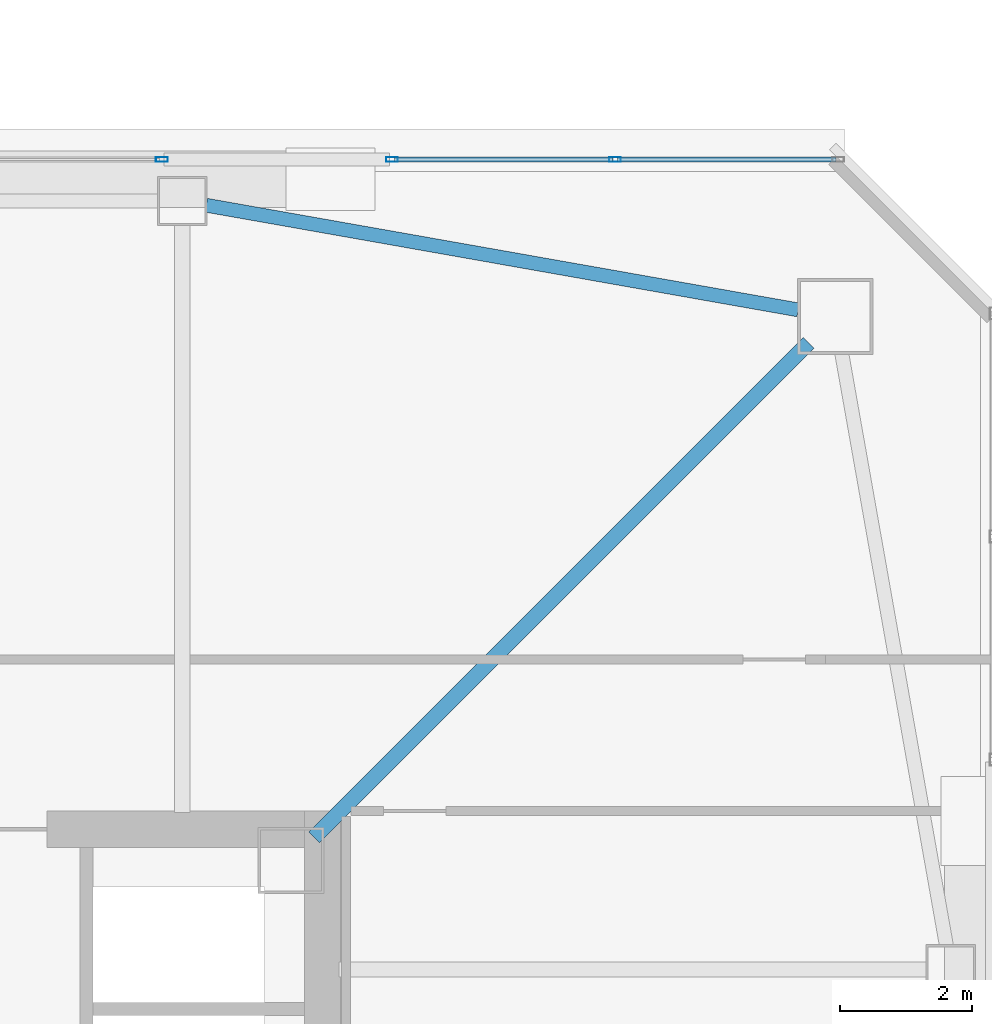
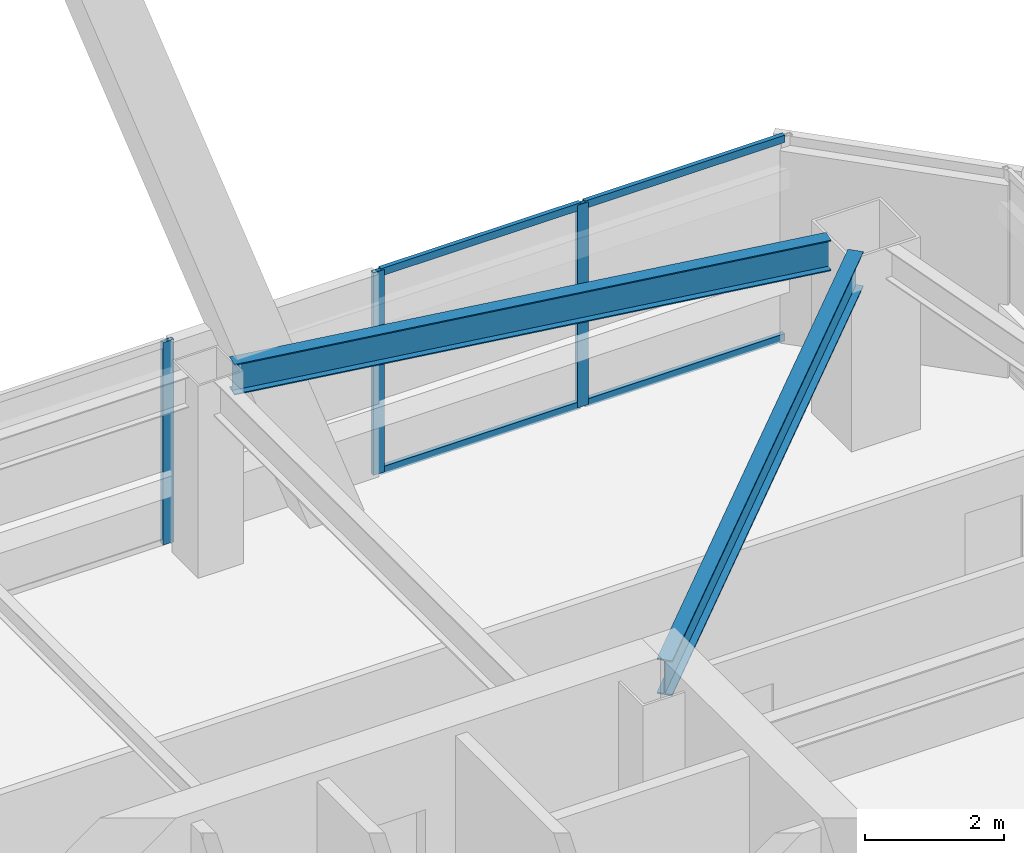
# One storey, part 19 of 55: 7 members, 2 beams, 2 elements without a shape of their own.
"""IFC4 building model written with IfcOpenShell, lengths in metres."""

import ifcopenshell
import ifcopenshell.guid

model = None  # the IFC model being written
_history = None  # IfcOwnerHistory: only IFC2X3 demands one
_inside = {}  # id of a spatial element -> (the spatial element, [elements in it])
_under = {}  # id of a project, library or spatial element -> (it, [spatial elements below it])
_declared = {}  # id of a project -> (the project, [libraries it declares])
_typed = {}  # id of a type object -> (the type object, [elements of that type])
_made_of = {}  # id of a material, layer set ... -> (it, [elements and type objects made of it])


def new_model(schema):
    """Start an empty IFC model of exactly this schema.

    Asked for "IFC4X3", IfcOpenShell would pick the latest addendum, in which some entities
    have other attributes; the version numbers below select the first issue.
    IFC2X3 requires an IfcOwnerHistory on every rooted entity: one is made here for all.
    """
    global model, _history
    if schema == "IFC4X3":
        model = ifcopenshell.file(schema_version=(4, 3, 0, 0))
    else:
        model = ifcopenshell.file(schema=schema)
    _inside.clear()
    _under.clear()
    _declared.clear()
    _typed.clear()
    _made_of.clear()
    _history = None
    if model.schema == "IFC2X3":
        org = make("IfcOrganization", Name="unknown")
        user = make(
            "IfcPersonAndOrganization",
            ThePerson=make("IfcPerson", FamilyName="unknown"),
            TheOrganization=org,
        )
        app = make(
            "IfcApplication",
            ApplicationDeveloper=org,
            Version="unknown",
            ApplicationFullName="unknown",
            ApplicationIdentifier="unknown",
        )
        _history = make(
            "IfcOwnerHistory",
            OwningUser=user,
            OwningApplication=app,
            ChangeAction="ADDED",
            CreationDate=0,
        )
    return model


def make(cls, **values):
    """One entity of the class cls with the attributes given. An attribute that is None is left unset."""
    return model.create_entity(
        cls, **{name: value for name, value in values.items() if value is not None}
    )


def rooted(cls, **values):
    """An entity with a GlobalId (a new one), such as an element, a storey or a relation."""
    return make(cls, GlobalId=ifcopenshell.guid.new(), OwnerHistory=_history, **values)


def si_unit(unit_type, name, prefix=None):
    """IfcSIUnit, for example si_unit("LENGTHUNIT", "METRE", prefix="MILLI")."""
    return make("IfcSIUnit", UnitType=unit_type, Prefix=prefix, Name=name)


def assignment(units):
    """IfcUnitAssignment: the units of a project."""
    return None if units is None else make("IfcUnitAssignment", Units=units)


def point(xyz):
    """IfcCartesianPoint."""
    return None if xyz is None else make("IfcCartesianPoint", Coordinates=xyz)


def direction(xyz):
    """IfcDirection."""
    return None if xyz is None else make("IfcDirection", DirectionRatios=xyz)


def frame(location, z_axis=None, x_axis=None):
    """IfcAxis2Placement3D, a coordinate frame: its origin and axes. An axis left out is left unset."""
    return make(
        "IfcAxis2Placement3D",
        Location=point(location),
        Axis=direction(z_axis),
        RefDirection=direction(x_axis),
    )


def frame_2d(location, x_axis=None):
    """IfcAxis2Placement2D, a coordinate frame in the plane: its origin and x axis."""
    return make(
        "IfcAxis2Placement2D", Location=point(location), RefDirection=direction(x_axis)
    )


def origin():
    """The frame at (0, 0, 0) with its axes left unset."""
    return frame((0.0, 0.0, 0.0))


def origin_2d():
    """The frame at (0, 0) in the plane with its x axis left unset."""
    return frame_2d((0.0, 0.0))


def place(relative_to, where):
    """IfcLocalPlacement: puts the frame where relative to a parent placement (None: the world)."""
    return make(
        "IfcLocalPlacement", PlacementRelTo=relative_to, RelativePlacement=where
    )


def context(
    kind, dimensions, precision=None, world=None, true_north=None, identifier=None
):
    """IfcGeometricRepresentationContext, for example the 3D "Model" context."""
    return make(
        "IfcGeometricRepresentationContext",
        ContextIdentifier=identifier,
        ContextType=kind,
        CoordinateSpaceDimension=dimensions,
        Precision=precision,
        WorldCoordinateSystem=world,
        TrueNorth=true_north,
    )


def subcontext(parent, identifier, kind, view, scale=None):
    """IfcGeometricRepresentationSubContext, for example "Body" below "Model"."""
    return make(
        "IfcGeometricRepresentationSubContext",
        ContextIdentifier=identifier,
        ContextType=kind,
        ParentContext=parent,
        TargetScale=scale,
        TargetView=view,
    )


def project(units=None, contexts=None):
    """IfcProject with its units and contexts."""
    return rooted(
        "IfcProject",
        Name="project",
        RepresentationContexts=contexts,
        UnitsInContext=assignment(units),
    )


def spatial(cls, under=None, at=None, **own):
    """A site, building, storey or space (cls), placed at a placement, below another one or the project."""
    s = rooted(cls, ObjectPlacement=at, **own)
    if under is not None:
        _under.setdefault(under.id(), (under, []))[1].append(s)
    return s


def profile(cls, at=None, kind="AREA", **sizes):
    """A parametric profile (cls). Its sizes go by their IFC names, for example OverallWidth=200.0."""
    return make(cls, ProfileType=kind, Position=at, **sizes)


def hollow_rectangle(**sizes):
    """IfcRectangleHollowProfileDef."""
    return profile("IfcRectangleHollowProfileDef", **sizes)


def i_section(**sizes):
    """IfcIShapeProfileDef."""
    return profile("IfcIShapeProfileDef", **sizes)


def extrude(swept, where, along, depth):
    """IfcExtrudedAreaSolid: the profile swept, set in the frame where, extruded along a direction by depth."""
    return make(
        "IfcExtrudedAreaSolid",
        SweptArea=swept,
        Position=where,
        ExtrudedDirection=direction(along),
        Depth=depth,
    )


def shape(context_of_items, identifier, shape_type, items):
    """IfcShapeRepresentation: the items that make up one representation, for example the "Body"."""
    return make(
        "IfcShapeRepresentation",
        ContextOfItems=context_of_items,
        RepresentationIdentifier=identifier,
        RepresentationType=shape_type,
        Items=items,
    )


def material(Name=None, Category=None):
    """IfcMaterial."""
    return make("IfcMaterial", Name=Name, Category=Category)


def material_profile(
    of_material, cross_section, Name=None, Category=None, Priority=None
):
    """IfcMaterialProfile: a cross section and its material."""
    return make(
        "IfcMaterialProfile",
        Name=Name,
        Material=of_material,
        Profile=cross_section,
        Priority=Priority,
        Category=Category,
    )


def profile_set(profiles, Name=None, composite=None):
    """IfcMaterialProfileSet."""
    return make(
        "IfcMaterialProfileSet",
        Name=Name,
        MaterialProfiles=profiles,
        CompositeProfile=composite,
    )


def made_of(thing, what):
    """Note that an element or type object is made of a material, layer set ...; save() writes the relation."""
    if what is not None:
        _made_of.setdefault(what.id(), (what, []))[1].append(thing)
    return thing


def type_object(cls, material=None, **own):
    """A type object (cls), such as IfcWallType, which elements share."""
    return made_of(rooted(cls, **own), material)


def element(
    cls,
    number,
    at=None,
    inside=None,
    cuts=None,
    type_object=None,
    material=None,
    context=None,
    identifier="Body",
    shape_type=None,
    held_by="IfcProductDefinitionShape",
    body=None,
    shapes=None,
    **own,
):
    """One element of the class cls, such as IfcWall. Its Tag is "e" and its number.

    at: its placement. inside: the storey or other place that contains it. cuts: it is an
    opening in that element (IfcRelVoidsElement). A single representation is given by context,
    identifier, shape_type and body (its items); several are given by shapes. held_by: the class
    of the entity that holds the representations. save() writes the other relations.
    """
    e = rooted(cls, Tag="e%d" % number, ObjectPlacement=at, **own)
    if body is not None:
        shapes = [shape(context, identifier, shape_type, body)]
    if shapes is not None:
        e.Representation = make(held_by, Representations=shapes)
    if inside is not None:
        _inside.setdefault(inside.id(), (inside, []))[1].append(e)
    if cuts is not None:
        rooted(
            "IfcRelVoidsElement", RelatingBuildingElement=cuts, RelatedOpeningElement=e
        )
    if type_object is not None:
        _typed.setdefault(type_object.id(), (type_object, []))[1].append(e)
    return made_of(e, material)


def aggregate(whole, parts):
    """IfcRelAggregates: a whole, such as a stair, and the parts it consists of."""
    return rooted("IfcRelAggregates", RelatingObject=whole, RelatedObjects=parts)


def save(model, path):
    """Write the relations noted so far, then the file.

    IfcRelAggregates (storeys below a building ...), IfcRelContainedInSpatialStructure (elements
    in a storey), IfcRelDefinesByType, IfcRelAssociatesMaterial and IfcRelDeclares: one each for
    every whole, place, type object, material and project.
    """
    for whole, parts in _under.values():
        aggregate(whole, parts)
    for where, things in _inside.values():
        rooted(
            "IfcRelContainedInSpatialStructure",
            RelatedElements=things,
            RelatingStructure=where,
        )
    for kind, things in _typed.values():
        rooted("IfcRelDefinesByType", RelatedObjects=things, RelatingType=kind)
    for what, things in _made_of.values():
        rooted("IfcRelAssociatesMaterial", RelatedObjects=things, RelatingMaterial=what)
    for by, libraries in _declared.values():
        rooted("IfcRelDeclares", RelatingContext=by, RelatedDefinitions=libraries)
    model.write(path)


model = new_model("IFC4")

# Units and contexts
model_context = context("Model", 3, precision=1e-05, world=origin(), true_north=direction((0.0, 1.0)))
body_context = subcontext(model_context, "Body", "Model", "MODEL_VIEW")
ifc_project = project(units=[si_unit("LENGTHUNIT", "METRE"), si_unit("AREAUNIT", "SQUARE_METRE"), si_unit("VOLUMEUNIT", "CUBIC_METRE"), si_unit("PLANEANGLEUNIT", "RADIAN"), si_unit("MASSUNIT", "GRAM", prefix="KILO")], contexts=[model_context])

# Site, building, storey
site_placement = place(None, origin())
site = spatial("IfcSite", under=ifc_project, at=site_placement, CompositionType="ELEMENT")
building_placement = place(site_placement, origin())
building = spatial("IfcBuilding", under=site, at=building_placement, Name="Tashvorn Skyway Center", CompositionType="ELEMENT")
storey_placement = place(building_placement, frame((0.0, 0.0, 178.300048828125)))
storey = spatial("IfcBuildingStorey", under=building, at=storey_placement, Name="L48", CompositionType="ELEMENT", Elevation=178.300048828125)

# Beams
ifc_material_1 = material(Name="Steel ASTM A992 Grade 50", Category="steel")
ifc_material_profile_1 = material_profile(ifc_material_1, i_section(OverallWidth=0.22998046875, OverallDepth=0.616943359375, WebThickness=0.01318359375, FlangeThickness=0.022216796875, at=origin_2d()), Name="W24X94")
ifc_profile_set_1 = profile_set([ifc_material_profile_1], Name="Steel ASTM A992 Grade 50")
beam_type_1 = type_object("IfcBeamType", Name="BM-BEAM-W24X94", PredefinedType="BEAM", material=ifc_profile_set_1)
beam_1_placement = place(storey_placement, frame((56.89697265625, 46.89697265625, 3.0615234375), z_axis=(-0.707106781187, -0.707106781187, 0.0), x_axis=(0.707106781187, -0.707106781187, 0.0)))
element("IfcBeam", 1, at=beam_1_placement, inside=storey, type_object=beam_type_1, Name="Tower 1 L48 Primary Floor Girder MC-NE", PredefinedType="BEAM", context=body_context, shape_type="SweptSolid", body=[
    extrude(i_section(OverallWidth=0.22998046875, OverallDepth=0.616943359375, WebThickness=0.01318359375, FlangeThickness=0.022216796875, at=origin_2d()), origin(), (0.0, 0.0, 1.0), 10.6025390625),
])
ifc_material_profile_2 = material_profile(ifc_material_1, i_section(OverallWidth=0.2109375, OverallDepth=0.5390625, WebThickness=0.01171875, FlangeThickness=0.018798828125, at=origin_2d()), Name="W21X73")
ifc_profile_set_2 = profile_set([ifc_material_profile_2], Name="Steel ASTM A992 Grade 50")
beam_type_2 = type_object("IfcBeamType", Name="BM-SPANDREL-W21X73", PredefinedType="SPANDREL", material=ifc_profile_set_2)
beam_2_placement = place(storey_placement, frame((56.73876953125, 47.399169921875, 3.100341796875), z_axis=(-0.984732545667, 0.174074160933, 0.0), x_axis=(-0.174074160933, -0.984732545667, 0.0)))
element("IfcBeam", 2, at=beam_2_placement, inside=storey, type_object=beam_type_2, Name="Tower 1 L48 Spandrel Beam 07", PredefinedType="SPANDREL", context=body_context, shape_type="SweptSolid", body=[
    extrude(i_section(OverallWidth=0.2109375, OverallDepth=0.5390625, WebThickness=0.01171875, FlangeThickness=0.018798828125, at=origin_2d()), origin(), (0.0, 0.0, 1.0), 9.113525390625),
])

# Curtain wall, member
ifc_material_2 = material(Name="Thermally broken bronze-anodized aluminium 6063-T6", Category="aluminium")
curtain_wall_type = type_object("IfcCurtainWallType", Name="CW-CW-Z4", PredefinedType="NOTDEFINED", material=ifc_material_2)
curtain_wall_1_placement = place(storey_placement, origin())
curtain_wall_1 = element("IfcCurtainWall", 3, at=curtain_wall_1_placement, inside=storey, type_object=curtain_wall_type, Name="Tower 1 L48 North Unitised Curtain Wall Glazing Group 2", PredefinedType="NOTDEFINED")
ifc_material_profile_3 = material_profile(ifc_material_2, hollow_rectangle(XDim=0.070068359375, YDim=0.179931640625, WallThickness=0.00390625, at=origin_2d()), Name="ALU-MULL-70x180")
ifc_profile_set_3 = profile_set([ifc_material_profile_3], Name="Thermally broken bronze-anodized aluminium 6063-T6")
member_type_1 = type_object("IfcMemberType", Name="CWM-CW-Z4", PredefinedType="MULLION", material=ifc_profile_set_3)
member_1_placement = place(storey_placement, frame((47.091796875, 49.679931640625, 0.0), z_axis=(0.0, 0.0, 1.0), x_axis=(0.0, 1.0, 0.0)))
member_1 = element("IfcMember", 4, at=member_1_placement, type_object=member_type_1, Name="CW-Z4 mullion 2", PredefinedType="MULLION", context=body_context, shape_type="SweptSolid", body=[
    extrude(hollow_rectangle(XDim=0.070068359375, YDim=0.179931640625, WallThickness=0.00390625, at=origin_2d()), origin(), (0.0, 0.0, 1.0), 3.550048828125),
])
aggregate(curtain_wall_1, [member_1])

# Curtain wall, members
curtain_wall_2_placement = place(storey_placement, origin())
curtain_wall_2 = element("IfcCurtainWall", 5, at=curtain_wall_2_placement, inside=storey, type_object=curtain_wall_type, Name="Tower 1 L48 North Unitised Curtain Wall Glazing Group 3", PredefinedType="NOTDEFINED")
member_2_placement = place(storey_placement, frame((50.579345703125, 49.679931640625, 0.0), z_axis=(0.0, 0.0, 1.0), x_axis=(0.0, 1.0, 0.0)))
member_2 = element("IfcMember", 6, at=member_2_placement, type_object=member_type_1, Name="CW-Z4 mullion 1", PredefinedType="MULLION", context=body_context, shape_type="SweptSolid", body=[
    extrude(hollow_rectangle(XDim=0.070068359375, YDim=0.179931640625, WallThickness=0.00390625, at=origin_2d()), origin(), (0.0, 0.0, 1.0), 3.550048828125),
])
member_3_placement = place(storey_placement, frame((53.962158203125, 49.679931640625, 0.0), z_axis=(0.0, 0.0, 1.0), x_axis=(0.0, 1.0, 0.0)))
member_3 = element("IfcMember", 7, at=member_3_placement, type_object=member_type_1, Name="CW-Z4 mullion 2", PredefinedType="MULLION", context=body_context, shape_type="SweptSolid", body=[
    extrude(hollow_rectangle(XDim=0.070068359375, YDim=0.179931640625, WallThickness=0.00390625, at=origin_2d()), origin(), (0.0, 0.0, 1.0), 3.550048828125),
])
ifc_material_profile_4 = material_profile(ifc_material_2, hollow_rectangle(XDim=0.070068359375, YDim=0.1298828125, WallThickness=0.00390625, at=origin_2d()), Name="ALU-TRAN-70x130")
ifc_profile_set_4 = profile_set([ifc_material_profile_4], Name="Thermally broken bronze-anodized aluminium 6063-T6")
member_type_2 = type_object("IfcMemberType", Name="CWT-CW-Z4", PredefinedType="USERDEFINED", material=ifc_profile_set_4)
member_4_placement = place(storey_placement, frame((50.614501953125, 49.679931640625, 0.034912109375), z_axis=(1.0, 0.0, 0.0), x_axis=(0.0, 1.0, 0.0)))
member_4 = element("IfcMember", 8, at=member_4_placement, type_object=member_type_2, Name="CW-Z4 transom 1.1", ObjectType="TRANSOM", PredefinedType="USERDEFINED", context=body_context, shape_type="SweptSolid", body=[
    extrude(hollow_rectangle(XDim=0.070068359375, YDim=0.1298828125, WallThickness=0.00390625, at=origin_2d()), origin(), (0.0, 0.0, 1.0), 3.312744140625),
])
member_5_placement = place(storey_placement, frame((50.614501953125, 49.679931640625, 3.514892578125), z_axis=(1.0, 0.0, 0.0), x_axis=(0.0, 1.0, 0.0)))
member_5 = element("IfcMember", 9, at=member_5_placement, type_object=member_type_2, Name="CW-Z4 transom 1.2", ObjectType="TRANSOM", PredefinedType="USERDEFINED", context=body_context, shape_type="SweptSolid", body=[
    extrude(hollow_rectangle(XDim=0.070068359375, YDim=0.1298828125, WallThickness=0.00390625, at=origin_2d()), origin(), (0.0, 0.0, 1.0), 3.312744140625),
])
member_6_placement = place(storey_placement, frame((53.997314453125, 49.679931640625, 0.034912109375), z_axis=(1.0, 0.0, 0.0), x_axis=(0.0, 1.0, 0.0)))
member_6 = element("IfcMember", 10, at=member_6_placement, type_object=member_type_2, Name="CW-Z4 transom 2.1", ObjectType="TRANSOM", PredefinedType="USERDEFINED", context=body_context, shape_type="SweptSolid", body=[
    extrude(hollow_rectangle(XDim=0.070068359375, YDim=0.1298828125, WallThickness=0.00390625, at=origin_2d()), origin(), (0.0, 0.0, 1.0), 3.312744140625),
])
member_7_placement = place(storey_placement, frame((53.997314453125, 49.679931640625, 3.514892578125), z_axis=(1.0, 0.0, 0.0), x_axis=(0.0, 1.0, 0.0)))
member_7 = element("IfcMember", 11, at=member_7_placement, type_object=member_type_2, Name="CW-Z4 transom 2.2", ObjectType="TRANSOM", PredefinedType="USERDEFINED", context=body_context, shape_type="SweptSolid", body=[
    extrude(hollow_rectangle(XDim=0.070068359375, YDim=0.1298828125, WallThickness=0.00390625, at=origin_2d()), origin(), (0.0, 0.0, 1.0), 3.312744140625),
])
aggregate(curtain_wall_2, [member_2, member_3, member_4, member_5, member_6, member_7])

save(model, "model.ifc")
